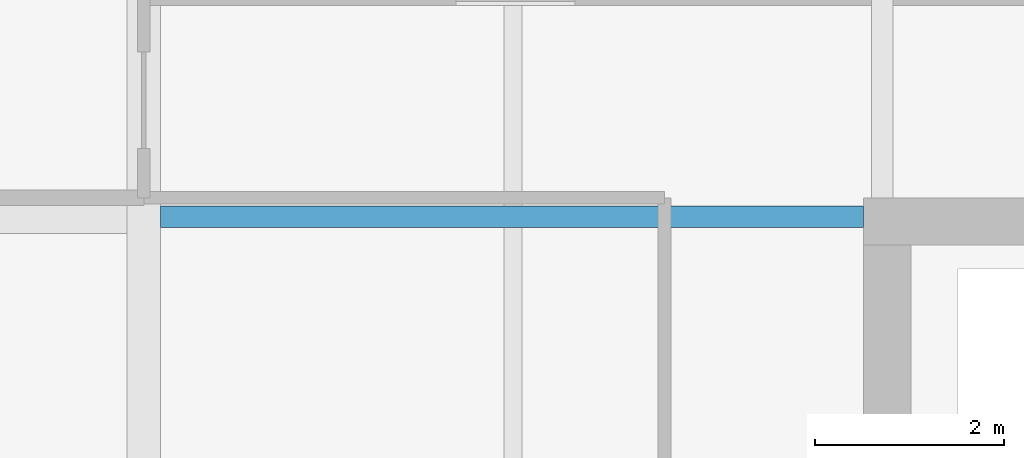
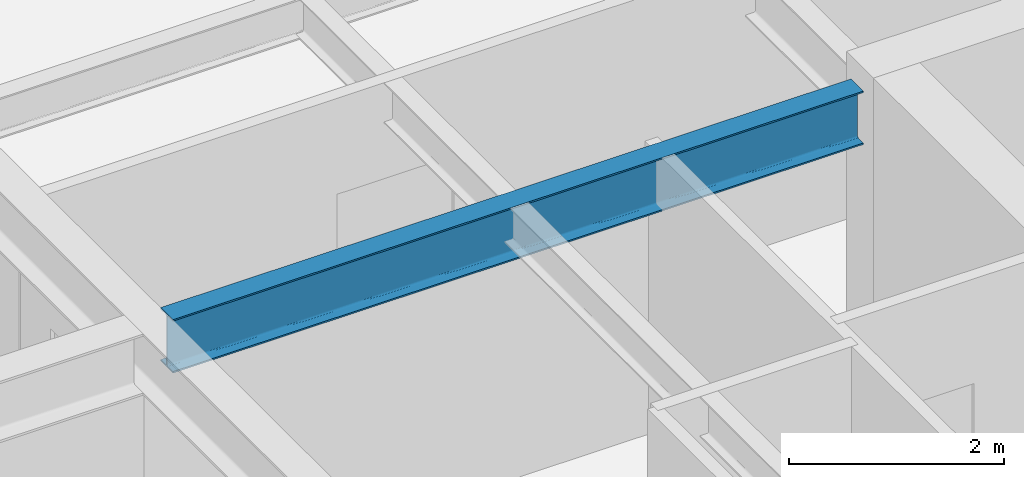
# One storey, part 18 of 34: 1 beam.
"""IFC4 building model written with IfcOpenShell, lengths in metres."""

from ifc_helpers import new_model, si_unit, direction, frame, origin, origin_2d, place, context, subcontext, project, spatial, i_section, extrude, material, material_profile, profile_set, type_object, element, save


model = new_model("IFC4")

# Units and contexts
model_context = context("Model", 3, precision=1e-05, world=origin(), true_north=direction((0.0, 1.0)))
body_context = subcontext(model_context, "Body", "Model", "MODEL_VIEW")
ifc_project = project(units=[si_unit("LENGTHUNIT", "METRE"), si_unit("AREAUNIT", "SQUARE_METRE"), si_unit("VOLUMEUNIT", "CUBIC_METRE"), si_unit("PLANEANGLEUNIT", "RADIAN"), si_unit("MASSUNIT", "GRAM", prefix="KILO")], contexts=[model_context])

# Site, building, storey
site_placement = place(None, origin())
site = spatial("IfcSite", under=ifc_project, at=site_placement, CompositionType="ELEMENT")
building_placement = place(site_placement, origin())
building = spatial("IfcBuilding", under=site, at=building_placement, Name="Drelvath Grand Hotel", CompositionType="ELEMENT")
storey_placement = place(building_placement, frame((0.0, 0.0, 175.25)))
storey = spatial("IfcBuildingStorey", under=building, at=storey_placement, Name="L45", CompositionType="ELEMENT", Elevation=175.25)

# Beam
ifc_material = material(Name="Steel ASTM A992 Gr 50", Category="steel")
ifc_material_profile = material_profile(ifc_material, i_section(OverallWidth=0.228271484375, OverallDepth=0.607666015625, WebThickness=0.01123046875, FlangeThickness=0.017333984375, FilletRadius=0.02001953125, at=origin_2d()), Name="W24X76")
ifc_profile_set = profile_set([ifc_material_profile], Name="Steel ASTM A992 Gr 50")
beam_type = type_object("IfcBeamType", Name="Primary Floor Girder W24X76", PredefinedType="BEAM", material=ifc_profile_set)
beam_placement = place(storey_placement, frame((-16.022705078125, 35.39990234375, 2.986083984375), z_axis=(1.0, 0.0, 0.0), x_axis=(0.0, 1.0, 0.0)))
element("IfcBeam", 1, at=beam_placement, inside=storey, type_object=beam_type, Name="L45 West Core Tie F", PredefinedType="BEAM", context=body_context, shape_type="SweptSolid", body=[
    extrude(i_section(OverallWidth=0.228271484375, OverallDepth=0.607666015625, WebThickness=0.01123046875, FlangeThickness=0.017333984375, FilletRadius=0.02001953125, at=origin_2d()), origin(), (0.0, 0.0, 1.0), 7.422607421875),
])

save(model, "model.ifc")
